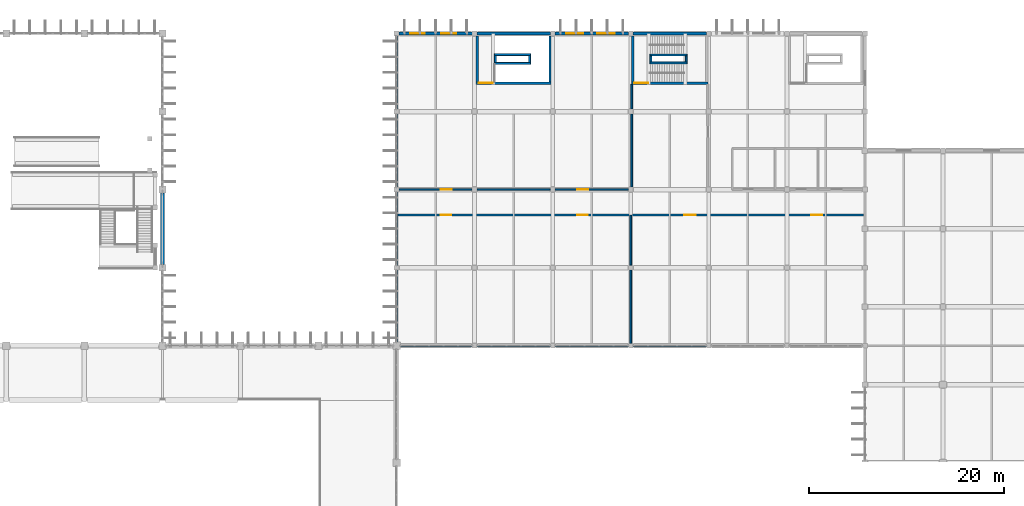
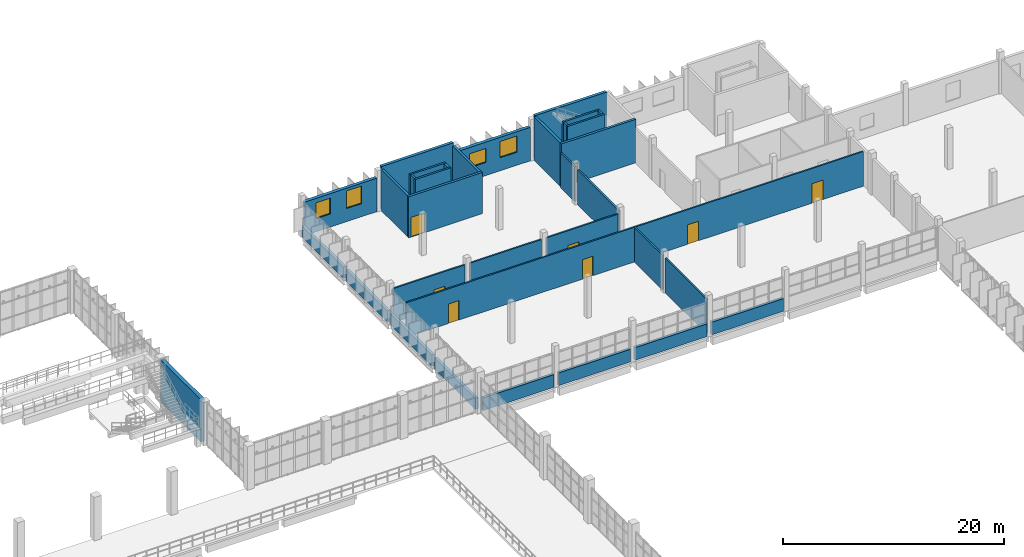
# One storey, part 72 of 93: 34 walls, 8 doors, 4 windows, 12 openings.
"""IFC4 building model written with IfcOpenShell, lengths in metres."""

from ifc_helpers import new_model, si_unit, direction, frame, frame_2d, origin, place, context, subcontext, project, spatial, rectangle, extrude, material, layer, layer_set, type_object, element, fill, save


model = new_model("IFC4")

# Units and contexts
model_context = context("Model", 3, precision=1e-05, world=origin(), true_north=direction((0.0, 1.0)))
body_context = subcontext(model_context, "Body", "Model", "MODEL_VIEW")
ifc_project = project(units=[si_unit("LENGTHUNIT", "METRE"), si_unit("AREAUNIT", "SQUARE_METRE"), si_unit("VOLUMEUNIT", "CUBIC_METRE"), si_unit("PLANEANGLEUNIT", "RADIAN"), si_unit("MASSUNIT", "GRAM", prefix="KILO")], contexts=[model_context])

# Site, building, storey
site_placement = place(None, origin())
site = spatial("IfcSite", under=ifc_project, at=site_placement, CompositionType="ELEMENT")
building_placement = place(site_placement, origin())
building = spatial("IfcBuilding", under=site, at=building_placement, Name="Drelvana Railside Aquatics Centre", CompositionType="ELEMENT")
storey_placement = place(building_placement, frame((0.0, 0.0, 5.39990234375)))
storey = spatial("IfcBuildingStorey", under=building, at=storey_placement, Name="L01", CompositionType="ELEMENT", Elevation=5.39990234375)

# Walls
ifc_material_1 = material(Name="Concrete blockwork compartment wall", Category="masonry")
ifc_layer_1 = layer(ifc_material_1, 0.18505859375, Name="Concrete blockwork compartment wall")
ifc_layer_set_1 = layer_set([ifc_layer_1], Name="Concrete blockwork compartment wall")
wall_type_1 = type_object("IfcWallType", Name="WL-COMP-185", PredefinedType="STANDARD", material=ifc_layer_set_1)
wall_1_placement = place(storey_placement, frame((120.10009765625, 100.251953125, 0.0), z_axis=(0.0, 0.0, 1.0), x_axis=(0.0, 1.0, 0.0)))
element("IfcWall", 1, at=wall_1_placement, inside=storey, type_object=wall_type_1, Name="L01 Stair passage west wall", PredefinedType="STANDARD", context=body_context, shape_type="SweptSolid", body=[
    extrude(rectangle(XDim=7.49609375, YDim=0.18505859375, at=frame_2d((3.748046875, 0.0))), origin(), (0.0, 0.0, 1.0), 3.830078125),
])
wall_2_placement = place(storey_placement, frame((120.10009765625, 108.251953125, 0.0), z_axis=(0.0, 0.0, 1.0), x_axis=(0.0, 1.0, 0.0)))
element("IfcWall", 2, at=wall_2_placement, inside=storey, type_object=wall_type_1, Name="L01 Stair passage west wall", PredefinedType="STANDARD", context=body_context, shape_type="SweptSolid", body=[
    extrude(rectangle(XDim=2.546142578125, YDim=0.18505859375, at=frame_2d((1.27294921875, 0.0))), origin(), (0.0, 0.0, 1.0), 3.830078125),
])

# Wall, opening, door
ifc_material_2 = material(Name="Concrete C40/50", Category="concrete")
ifc_layer_2 = layer(ifc_material_2, 0.25, Name="Concrete C40/50")
ifc_layer_set_2 = layer_set([ifc_layer_2], Name="Concrete C40/50")
wall_type_2 = type_object("IfcWallType", Name="WL-CORE-250", PredefinedType="SHEAR", material=ifc_layer_set_2)
wall_3_placement = place(storey_placement, frame((120.10009765625, 110.925048828125, 0.0), z_axis=(0.0, 0.0, 1.0), x_axis=(1.0, 0.0, 0.0)))
wall_3 = element("IfcWall", 3, at=wall_3_placement, inside=storey, type_object=wall_type_2, Name="Core 5 Changing Pavilion North S core wall (L01)", PredefinedType="SHEAR", context=body_context, shape_type="SweptSolid", body=[
    extrude(rectangle(XDim=7.7998046875, YDim=0.25, at=frame_2d((3.89990234375, 0.0))), origin(), (0.0, 0.0, 1.0), 4.800048828125),
])
opening_1_placement = place(wall_3_placement, frame((0.25, 0.0, 0.0)))
opening_1 = element("IfcOpeningElement", 4, at=opening_1_placement, cuts=wall_3, Name="Opening D-01-033", PredefinedType="OPENING", context=body_context, shape_type="SweptSolid", body=[
    extrude(rectangle(XDim=1.449951171875, YDim=2.199951171875, at=frame_2d((0.72509765625, 1.10009765625))), frame((0.0, 0.135009765625, 0.0), z_axis=(0.0, -1.0, 0.0), x_axis=(1.0, 0.0, 0.0)), (0.0, 0.0, 1.0), 0.27001953125),
])
ifc_material_3 = material(Name="Fire-rated steel and vision-panel door", Category="steel")
door_type_1 = type_object("IfcDoorType", Name="DR-INT-STAIR-1450x2200", OperationType="DOUBLE_DOOR_SINGLE_SWING", PredefinedType="DOOR", material=ifc_material_3)
door_1_placement = place(opening_1_placement, origin())
door_1 = element("IfcDoor", 5, at=door_1_placement, inside=storey, type_object=door_type_1, Name="Stair ST-05 lobby door D-01-033", OperationType="DOUBLE_DOOR_SINGLE_SWING", OverallHeight=2.199951171875, OverallWidth=1.449951171875, PredefinedType="DOOR", context=body_context, shape_type="SweptSolid", body=[
    extrude(rectangle(XDim=1.449951171875, YDim=2.199951171875, at=frame_2d((0.72509765625, 1.10009765625))), frame((0.0, 0.02490234375, 0.0), z_axis=(0.0, -1.0, 0.0), x_axis=(1.0, 0.0, 0.0)), (0.0, 0.0, 1.0), 0.050048828125),
])
fill(opening_1, door_1)

# Wall
wall_4_placement = place(storey_placement, frame((120.22509765625, 111.050048828125, 0.0), z_axis=(0.0, 0.0, 1.0), x_axis=(0.0, 1.0, 0.0)))
element("IfcWall", 6, at=wall_4_placement, inside=storey, type_object=wall_type_2, Name="Core 5 Changing Pavilion North W core wall (L01)", PredefinedType="SHEAR", context=body_context, shape_type="SweptSolid", body=[
    extrude(rectangle(XDim=4.699951171875, YDim=0.25, at=frame_2d((2.35009765625, 0.0))), origin(), (0.0, 0.0, 1.0), 4.800048828125),
])

# Wall, opening, door
wall_5_placement = place(storey_placement, frame((104.14990234375, 110.925048828125, 0.0), z_axis=(0.0, 0.0, 1.0), x_axis=(1.0, 0.0, 0.0)))
wall_5 = element("IfcWall", 7, at=wall_5_placement, inside=storey, type_object=wall_type_2, Name="Core 11 Changing Pavilion North-West S core wall (L01)", PredefinedType="SHEAR", context=body_context, shape_type="SweptSolid", body=[
    extrude(rectangle(XDim=7.7001953125, YDim=0.25, at=frame_2d((3.85009765625, 0.0))), origin(), (0.0, 0.0, 1.0), 4.550048828125),
])
opening_2_placement = place(wall_5_placement, frame((0.25, 0.0, 0.0)))
opening_2 = element("IfcOpeningElement", 8, at=opening_2_placement, cuts=wall_5, Name="Opening D-01-092", PredefinedType="OPENING", context=body_context, shape_type="SweptSolid", body=[
    extrude(rectangle(XDim=1.449951171875, YDim=2.199951171875, at=frame_2d((0.72509765625, 1.10009765625))), frame((0.0, 0.135009765625, 0.0), z_axis=(0.0, -1.0, 0.0), x_axis=(1.0, 0.0, 0.0)), (0.0, 0.0, 1.0), 0.27001953125),
])
door_2_placement = place(opening_2_placement, origin())
door_2 = element("IfcDoor", 9, at=door_2_placement, inside=storey, type_object=door_type_1, Name="Stair ST-11 lobby door D-01-092", OperationType="DOUBLE_DOOR_SINGLE_SWING", OverallHeight=2.199951171875, OverallWidth=1.449951171875, PredefinedType="DOOR", context=body_context, shape_type="SweptSolid", body=[
    extrude(rectangle(XDim=1.449951171875, YDim=2.199951171875, at=frame_2d((0.72509765625, 1.10009765625))), frame((0.0, 0.02490234375, 0.0), z_axis=(0.0, -1.0, 0.0), x_axis=(1.0, 0.0, 0.0)), (0.0, 0.0, 1.0), 0.050048828125),
])
fill(opening_2, door_2)

# Walls
for number, where, z_axis, x_axis, name in (
    (10, (104.27490234375, 111.050048828125, 0.0), (0.0, 0.0, 1.0), (0.0, 1.0, 0.0), "Core 11 Changing Pavilion North-West W core wall (L01)"),
    (11, (111.72509765625, 111.050048828125, 0.0), (0.0, 0.0, 1.0), (0.0, 1.0, 0.0), "Core 11 Changing Pavilion North-West E core wall (L01)"),
):
    element("IfcWall", number, at=place(storey_placement, frame(where, z_axis=z_axis, x_axis=x_axis)), inside=storey, type_object=wall_type_2, Name=name, PredefinedType="SHEAR", context=body_context, shape_type="SweptSolid", body=[
        extrude(rectangle(XDim=4.699951171875, YDim=0.25, at=frame_2d((2.35009765625, 0.0))), origin(), (0.0, 0.0, 1.0), 4.550048828125),
    ])
ifc_layer_3 = layer(ifc_material_2, 0.300048828125, Name="Concrete C40/50")
ifc_layer_set_3 = layer_set([ifc_layer_3], Name="Concrete C40/50")
wall_type_3 = type_object("IfcWallType", Name="WL-CORE-300", PredefinedType="SHEAR", material=ifc_layer_set_3)
for number, where, z_axis, x_axis, name in (
    (12, (104.24609375, 116.0, 0.0), (0.0, 0.0, 1.0), (1.0, 0.0, 0.0), "Core 11 north L01 shear wall"),
    (13, (120.24609375, 116.0, 0.0), (0.0, 0.0, 1.0), (1.0, 0.0, 0.0), "Core 5 north L01 shear wall"),
):
    element("IfcWall", number, at=place(storey_placement, frame(where, z_axis=z_axis, x_axis=x_axis)), inside=storey, type_object=wall_type_3, Name=name, PredefinedType="SHEAR", context=body_context, shape_type="SweptSolid", body=[
        extrude(rectangle(XDim=7.5078125, YDim=0.300048828125, at=frame_2d((3.75390625, 0.0))), origin(), (0.0, 0.0, 1.0), 4.800048828125),
    ])
ifc_material_4 = material(Name="Glazed ceramic and masonry facade wall", Category="masonry")
ifc_layer_4 = layer(ifc_material_4, 0.2900390625, Name="Glazed ceramic and masonry facade wall")
ifc_layer_set_4 = layer_set([ifc_layer_4], Name="Glazed ceramic and masonry facade wall")
wall_type_4 = type_object("IfcWallType", Name="WL-EXT-290", PredefinedType="STANDARD", material=ifc_layer_set_4)
wall_6_placement = place(storey_placement, frame((96.37109375, 84.0, 0.0), z_axis=(0.0, 0.0, 1.0), x_axis=(1.0, 0.0, 0.0)))
element("IfcWall", 14, at=wall_6_placement, inside=storey, type_object=wall_type_4, Name="Upper changing sill wall", PredefinedType="STANDARD", context=body_context, shape_type="SweptSolid", body=[
    extrude(rectangle(XDim=7.3828125, YDim=0.2900390625, at=frame_2d((3.69140625, 0.0))), origin(), (0.0, 0.0, 1.0), 1.400146484375),
])
for number, where, z_axis, x_axis, name in (
    (15, (104.24609375, 84.0, 0.0), (0.0, 0.0, 1.0), (1.0, 0.0, 0.0), "Upper changing sill wall"),
    (16, (112.24609375, 84.0, 0.0), (0.0, 0.0, 1.0), (1.0, 0.0, 0.0), "Upper changing sill wall"),
    (17, (120.24609375, 84.0, 0.0), (0.0, 0.0, 1.0), (1.0, 0.0, 0.0), "Upper changing sill wall"),
):
    element("IfcWall", number, at=place(storey_placement, frame(where, z_axis=z_axis, x_axis=x_axis)), inside=storey, type_object=wall_type_4, Name=name, PredefinedType="STANDARD", context=body_context, shape_type="SweptSolid", body=[
        extrude(rectangle(XDim=7.5078125, YDim=0.2900390625, at=frame_2d((3.75390625, 0.0))), origin(), (0.0, 0.0, 1.0), 1.400146484375),
    ])
ifc_material_5 = material(Name="Terracotta rainscreen masonry wall", Category="masonry")
ifc_layer_5 = layer(ifc_material_5, 0.31005859375, Name="Terracotta rainscreen masonry wall")
ifc_layer_set_5 = layer_set([ifc_layer_5], Name="Terracotta rainscreen masonry wall")
wall_type_5 = type_object("IfcWallType", Name="WL-EXT-310", PredefinedType="STANDARD", material=ifc_layer_set_5)
wall_7_placement = place(storey_placement, frame((96.0, 84.37109375, 0.0), z_axis=(0.0, 0.0, 1.0), x_axis=(0.0, 1.0, 0.0)))
element("IfcWall", 18, at=wall_7_placement, inside=storey, type_object=wall_type_5, Name="Changing pavilion L01 west sill wall 84", PredefinedType="STANDARD", context=body_context, shape_type="SweptSolid", body=[
    extrude(rectangle(XDim=7.3828125, YDim=0.31005859375, at=frame_2d((3.69140625, 0.0))), origin(), (0.0, 0.0, 1.0), 1.25),
])
for number, where, z_axis, x_axis, name in (
    (19, (96.0, 92.24609375, 0.0), (0.0, 0.0, 1.0), (0.0, 1.0, 0.0), "Changing pavilion L01 west sill wall 92"),
    (20, (96.0, 100.24609375, 0.0), (0.0, 0.0, 1.0), (0.0, 1.0, 0.0), "Changing pavilion L01 west sill wall 100"),
    (21, (96.0, 108.24609375, 0.0), (0.0, 0.0, 1.0), (0.0, 1.0, 0.0), "Changing pavilion L01 west sill wall 108"),
):
    element("IfcWall", number, at=place(storey_placement, frame(where, z_axis=z_axis, x_axis=x_axis)), inside=storey, type_object=wall_type_5, Name=name, PredefinedType="STANDARD", context=body_context, shape_type="SweptSolid", body=[
        extrude(rectangle(XDim=7.5078125, YDim=0.31005859375, at=frame_2d((3.75390625, 0.0))), origin(), (0.0, 0.0, 1.0), 1.25),
    ])

# Wall, openings, windows
ifc_material_6 = material(Name="Abuja granite ashlar cavity wall", Category="masonry")
ifc_layer_6 = layer(ifc_material_6, 0.330078125, Name="Abuja granite ashlar cavity wall")
ifc_layer_set_6 = layer_set([ifc_layer_6], Name="Abuja granite ashlar cavity wall")
wall_type_6 = type_object("IfcWallType", Name="WL-EXT-330", PredefinedType="STANDARD", material=ifc_layer_set_6)
wall_8_placement = place(storey_placement, frame((96.24609375, 116.0, 0.0), z_axis=(0.0, 0.0, 1.0), x_axis=(1.0, 0.0, 0.0)))
wall_8 = element("IfcWall", 22, at=wall_8_placement, inside=storey, type_object=wall_type_6, Name="Changing L01 north wall 96", PredefinedType="STANDARD", context=body_context, shape_type="SweptSolid", body=[
    extrude(rectangle(XDim=7.5078125, YDim=0.330078125, at=frame_2d((3.75390625, 0.0))), origin(), (0.0, 0.0, 1.0), 3.7001953125),
])
opening_3_placement = place(wall_8_placement, frame((1.134033203125, 0.0, 1.449951171875)))
opening_3 = element("IfcOpeningElement", 23, at=opening_3_placement, cuts=wall_8, Name="Opening W-17", PredefinedType="OPENING", context=body_context, shape_type="SweptSolid", body=[
    extrude(rectangle(XDim=1.5, YDim=1.75, at=frame_2d((0.75, 0.875))), frame((0.0, 0.175048828125, 0.0), z_axis=(0.0, -1.0, 0.0), x_axis=(1.0, 0.0, 0.0)), (0.0, 0.0, 1.0), 0.35009765625),
])
opening_4_placement = place(wall_8_placement, frame((4.333984375, 0.0, 1.449951171875)))
opening_4 = element("IfcOpeningElement", 24, at=opening_4_placement, cuts=wall_8, Name="Opening W-18", PredefinedType="OPENING", context=body_context, shape_type="SweptSolid", body=[
    extrude(rectangle(XDim=1.550048828125, YDim=1.949951171875, at=frame_2d((0.77490234375, 0.97509765625))), frame((0.0, 0.175048828125, 0.0), z_axis=(0.0, -1.0, 0.0), x_axis=(1.0, 0.0, 0.0)), (0.0, 0.0, 1.0), 0.35009765625),
])
ifc_material_7 = material(Name="Double-glazed solar-control aluminium window", Category="aluminium")
window_type_1 = type_object("IfcWindowType", Name="WIN-17", PartitioningType="SINGLE_PANEL", PredefinedType="WINDOW", material=ifc_material_7)
window_1_placement = place(opening_3_placement, origin())
window_1 = element("IfcWindow", 25, at=window_1_placement, inside=storey, type_object=window_type_1, Name="Changing high-level window WIN-17", OverallHeight=1.75, OverallWidth=1.5, PartitioningType="SINGLE_PANEL", PredefinedType="WINDOW", context=body_context, shape_type="SweptSolid", body=[
    extrude(rectangle(XDim=1.5, YDim=1.75, at=frame_2d((0.75, 0.875))), frame((0.0, 0.030029296875, 0.0), z_axis=(0.0, -1.0, 0.0), x_axis=(1.0, 0.0, 0.0)), (0.0, 0.0, 1.0), 0.06005859375),
])
fill(opening_3, window_1)
window_type_2 = type_object("IfcWindowType", Name="WIN-18", PartitioningType="SINGLE_PANEL", PredefinedType="WINDOW", material=ifc_material_7)
window_2_placement = place(opening_4_placement, origin())
window_2 = element("IfcWindow", 26, at=window_2_placement, inside=storey, type_object=window_type_2, Name="Changing high-level window WIN-18", OverallHeight=1.949951171875, OverallWidth=1.550048828125, PartitioningType="SINGLE_PANEL", PredefinedType="WINDOW", context=body_context, shape_type="SweptSolid", body=[
    extrude(rectangle(XDim=1.550048828125, YDim=1.949951171875, at=frame_2d((0.77490234375, 0.97509765625))), frame((0.0, 0.030029296875, 0.0), z_axis=(0.0, -1.0, 0.0), x_axis=(1.0, 0.0, 0.0)), (0.0, 0.0, 1.0), 0.06005859375),
])
fill(opening_4, window_2)

wall_9_placement = place(storey_placement, frame((112.24609375, 116.0, 0.0), z_axis=(0.0, 0.0, 1.0), x_axis=(1.0, 0.0, 0.0)))
wall_9 = element("IfcWall", 27, at=wall_9_placement, inside=storey, type_object=wall_type_6, Name="Changing L01 north wall 112", PredefinedType="STANDARD", context=body_context, shape_type="SweptSolid", body=[
    extrude(rectangle(XDim=7.5078125, YDim=0.330078125, at=frame_2d((3.75390625, 0.0))), origin(), (0.0, 0.0, 1.0), 3.7001953125),
])
opening_5_placement = place(wall_9_placement, frame((1.134033203125, 0.0, 1.449951171875)))
opening_5 = element("IfcOpeningElement", 28, at=opening_5_placement, cuts=wall_9, Name="Opening W-21", PredefinedType="OPENING", context=body_context, shape_type="SweptSolid", body=[
    extrude(rectangle(XDim=1.75, YDim=1.550048828125, at=frame_2d((0.875, 0.77490234375))), frame((0.0, 0.175048828125, 0.0), z_axis=(0.0, -1.0, 0.0), x_axis=(1.0, 0.0, 0.0)), (0.0, 0.0, 1.0), 0.35009765625),
])
opening_6_placement = place(wall_9_placement, frame((4.333984375, 0.0, 1.449951171875)))
opening_6 = element("IfcOpeningElement", 29, at=opening_6_placement, cuts=wall_9, Name="Opening W-22", PredefinedType="OPENING", context=body_context, shape_type="SweptSolid", body=[
    extrude(rectangle(XDim=1.800048828125, YDim=1.800048828125, at=frame_2d((0.89990234375, 0.89990234375))), frame((0.0, 0.175048828125, 0.0), z_axis=(0.0, -1.0, 0.0), x_axis=(1.0, 0.0, 0.0)), (0.0, 0.0, 1.0), 0.35009765625),
])
window_type_3 = type_object("IfcWindowType", Name="WIN-21", PartitioningType="SINGLE_PANEL", PredefinedType="WINDOW", material=ifc_material_7)
window_3_placement = place(opening_5_placement, origin())
window_3 = element("IfcWindow", 30, at=window_3_placement, inside=storey, type_object=window_type_3, Name="Changing high-level window WIN-21", OverallHeight=1.550048828125, OverallWidth=1.75, PartitioningType="SINGLE_PANEL", PredefinedType="WINDOW", context=body_context, shape_type="SweptSolid", body=[
    extrude(rectangle(XDim=1.75, YDim=1.550048828125, at=frame_2d((0.875, 0.77490234375))), frame((0.0, 0.030029296875, 0.0), z_axis=(0.0, -1.0, 0.0), x_axis=(1.0, 0.0, 0.0)), (0.0, 0.0, 1.0), 0.06005859375),
])
fill(opening_5, window_3)
window_type_4 = type_object("IfcWindowType", Name="WIN-22", PartitioningType="SINGLE_PANEL", PredefinedType="WINDOW", material=ifc_material_7)
window_4_placement = place(opening_6_placement, origin())
window_4 = element("IfcWindow", 31, at=window_4_placement, inside=storey, type_object=window_type_4, Name="Changing high-level window WIN-22", OverallHeight=1.800048828125, OverallWidth=1.800048828125, PartitioningType="SINGLE_PANEL", PredefinedType="WINDOW", context=body_context, shape_type="SweptSolid", body=[
    extrude(rectangle(XDim=1.800048828125, YDim=1.800048828125, at=frame_2d((0.89990234375, 0.89990234375))), frame((0.0, 0.030029296875, 0.0), z_axis=(0.0, -1.0, 0.0), x_axis=(1.0, 0.0, 0.0)), (0.0, 0.0, 1.0), 0.06005859375),
])
fill(opening_6, window_4)

# Walls
ifc_material_8 = material(Name="Heavy thermal-mass stone facade wall", Category="masonry")
ifc_layer_7 = layer(ifc_material_8, 0.389892578125, Name="Heavy thermal-mass stone facade wall")
ifc_layer_set_7 = layer_set([ifc_layer_7], Name="Heavy thermal-mass stone facade wall")
wall_type_7 = type_object("IfcWallType", Name="WL-EXT-390", PredefinedType="STANDARD", material=ifc_layer_set_7)
wall_10_placement = place(storey_placement, frame((72.0, 92.345947265625, 0.0), z_axis=(0.0, 0.0, 1.0), x_axis=(0.0, 1.0, 0.0)))
element("IfcWall", 32, at=wall_10_placement, inside=storey, type_object=wall_type_7, Name="Diving Hall East braced bay wall", PredefinedType="STANDARD", context=body_context, shape_type="SweptSolid", body=[
    extrude(rectangle(XDim=7.30810546875, YDim=0.389892578125, at=frame_2d((3.654052734375, 0.0))), origin(), (0.0, 0.0, 1.0), 4.650146484375),
])
ifc_layer_8 = layer(ifc_material_2, 0.199951171875, Name="Concrete C40/50")
ifc_layer_set_8 = layer_set([ifc_layer_8], Name="Concrete C40/50")
wall_type_8 = type_object("IfcWallType", Name="WL-SHFT-200", PredefinedType="SHEAR", material=ifc_layer_set_8)
for number, where, z_axis, x_axis, name in (
    (33, (121.969970703125, 113.0, 0.0), (0.0, 0.0, 1.0), (1.0, 0.0, 0.0), "Stair ST-05 central spine wall A (L01)"),
    (34, (121.969970703125, 113.800048828125, 0.0), (0.0, 0.0, 1.0), (1.0, 0.0, 0.0), "Stair ST-05 central spine wall B (L01)"),
):
    element("IfcWall", number, at=place(storey_placement, frame(where, z_axis=z_axis, x_axis=x_axis)), inside=storey, type_object=wall_type_8, Name=name, PredefinedType="SHEAR", context=body_context, shape_type="SweptSolid", body=[
        extrude(rectangle(XDim=3.820068359375, YDim=0.199951171875, at=frame_2d((1.91015625, 0.0))), origin(), (0.0, 0.0, 1.0), 4.800048828125),
    ])
for number, where, z_axis, x_axis, name in (
    (35, (122.070068359375, 113.10009765625, 0.0), (0.0, 0.0, 1.0), (0.0, 1.0, 0.0), "Stair ST-05 central spine wall W (L01)"),
    (36, (125.68994140625, 113.10009765625, 0.0), (0.0, 0.0, 1.0), (0.0, 1.0, 0.0), "Stair ST-05 central spine wall E (L01)"),
):
    element("IfcWall", number, at=place(storey_placement, frame(where, z_axis=z_axis, x_axis=x_axis)), inside=storey, type_object=wall_type_8, Name=name, PredefinedType="SHEAR", context=body_context, shape_type="SweptSolid", body=[
        extrude(rectangle(XDim=0.599853515625, YDim=0.199951171875, at=frame_2d((0.2998046875, 0.0))), origin(), (0.0, 0.0, 1.0), 4.800048828125),
    ])
for number, where, z_axis, x_axis, name in (
    (37, (106.02001953125, 112.949951171875, 0.0), (0.0, 0.0, 1.0), (1.0, 0.0, 0.0), "Stair ST-11 central spine wall A (L01)"),
    (38, (106.02001953125, 113.85009765625, 0.0), (0.0, 0.0, 1.0), (1.0, 0.0, 0.0), "Stair ST-11 central spine wall B (L01)"),
):
    element("IfcWall", number, at=place(storey_placement, frame(where, z_axis=z_axis, x_axis=x_axis)), inside=storey, type_object=wall_type_8, Name=name, PredefinedType="SHEAR", context=body_context, shape_type="SweptSolid", body=[
        extrude(rectangle(XDim=3.719970703125, YDim=0.199951171875, at=frame_2d((1.85986328125, 0.0))), origin(), (0.0, 0.0, 1.0), 4.550048828125),
    ])
for number, where, z_axis, x_axis, name in (
    (39, (106.1201171875, 113.050048828125, 0.0), (0.0, 0.0, 1.0), (0.0, 1.0, 0.0), "Stair ST-11 central spine wall W (L01)"),
    (40, (109.639892578125, 113.050048828125, 0.0), (0.0, 0.0, 1.0), (0.0, 1.0, 0.0), "Stair ST-11 central spine wall E (L01)"),
):
    element("IfcWall", number, at=place(storey_placement, frame(where, z_axis=z_axis, x_axis=x_axis)), inside=storey, type_object=wall_type_8, Name=name, PredefinedType="SHEAR", context=body_context, shape_type="SweptSolid", body=[
        extrude(rectangle(XDim=0.699951171875, YDim=0.199951171875, at=frame_2d((0.35009765625, 0.0))), origin(), (0.0, 0.0, 1.0), 4.550048828125),
    ])

# Wall, openings, doors
ifc_material_9 = material(Name="Water-resistant ceramic-tiled block partition", Category="masonry")
ifc_layer_9 = layer(ifc_material_9, 0.159912109375, Name="Water-resistant ceramic-tiled block partition")
ifc_layer_set_9 = layer_set([ifc_layer_9], Name="Water-resistant ceramic-tiled block partition")
wall_type_9 = type_object("IfcWallType", Name="WL-WET-160", PredefinedType="PARTITIONING", material=ifc_layer_set_9)
wall_11_placement = place(storey_placement, frame((96.14990234375, 97.39990234375, 0.0), z_axis=(0.0, 0.0, 1.0), x_axis=(1.0, 0.0, 0.0)))
wall_11 = element("IfcWall", 41, at=wall_11_placement, inside=storey, type_object=wall_type_9, Name="L01 Changing south corridor wall", PredefinedType="PARTITIONING", context=body_context, shape_type="SweptSolid", body=[
    extrude(rectangle(XDim=47.7001953125, YDim=0.159912109375, at=frame_2d((23.85009765625, 0.0))), origin(), (0.0, 0.0, 1.0), 3.830078125),
])
opening_7_placement = place(wall_11_placement, frame((4.35009765625, 0.0, 0.0)))
opening_7 = element("IfcOpeningElement", 42, at=opening_7_placement, cuts=wall_11, Name="Opening D-08-170", PredefinedType="OPENING", context=body_context, shape_type="SweptSolid", body=[
    extrude(rectangle(XDim=1.10009765625, YDim=2.14990234375, at=frame_2d((0.550048828125, 1.074951171875))), frame((0.0, 0.08984375, 0.0), z_axis=(0.0, -1.0, 0.0), x_axis=(1.0, 0.0, 0.0)), (0.0, 0.0, 1.0), 0.179931640625),
])
opening_8_placement = place(wall_11_placement, frame((18.35009765625, 0.0, 0.0)))
opening_8 = element("IfcOpeningElement", 43, at=opening_8_placement, cuts=wall_11, Name="Opening D-08-171", PredefinedType="OPENING", context=body_context, shape_type="SweptSolid", body=[
    extrude(rectangle(XDim=1.10009765625, YDim=2.14990234375, at=frame_2d((0.550048828125, 1.074951171875))), frame((0.0, 0.08984375, 0.0), z_axis=(0.0, -1.0, 0.0), x_axis=(1.0, 0.0, 0.0)), (0.0, 0.0, 1.0), 0.179931640625),
])
opening_9_placement = place(wall_11_placement, frame((29.35009765625, 0.0, 0.0)))
opening_9 = element("IfcOpeningElement", 44, at=opening_9_placement, cuts=wall_11, Name="Opening D-17-172", PredefinedType="OPENING", context=body_context, shape_type="SweptSolid", body=[
    extrude(rectangle(XDim=1.14990234375, YDim=2.14990234375, at=frame_2d((0.574951171875, 1.074951171875))), frame((0.0, 0.08984375, 0.0), z_axis=(0.0, -1.0, 0.0), x_axis=(1.0, 0.0, 0.0)), (0.0, 0.0, 1.0), 0.179931640625),
])
opening_10_placement = place(wall_11_placement, frame((42.35009765625, 0.0, 0.0)))
opening_10 = element("IfcOpeningElement", 45, at=opening_10_placement, cuts=wall_11, Name="Opening D-17-173", PredefinedType="OPENING", context=body_context, shape_type="SweptSolid", body=[
    extrude(rectangle(XDim=1.14990234375, YDim=2.14990234375, at=frame_2d((0.574951171875, 1.074951171875))), frame((0.0, 0.08984375, 0.0), z_axis=(0.0, -1.0, 0.0), x_axis=(1.0, 0.0, 0.0)), (0.0, 0.0, 1.0), 0.179931640625),
])
ifc_material_10 = material(Name="Moisture-resistant phenolic changing door", Category="wood")
door_type_2 = type_object("IfcDoorType", Name="DR-INT-CHG-1100x2150", OperationType="NOTDEFINED", PredefinedType="DOOR", material=ifc_material_10)
door_3_placement = place(opening_7_placement, origin())
door_3 = element("IfcDoor", 46, at=door_3_placement, inside=storey, type_object=door_type_2, Name="L01 Public changing west door D-08-170", OperationType="SINGLE_SWING_LEFT", OverallHeight=2.14990234375, OverallWidth=1.10009765625, PredefinedType="DOOR", context=body_context, shape_type="SweptSolid", body=[
    extrude(rectangle(XDim=1.10009765625, YDim=2.14990234375, at=frame_2d((0.550048828125, 1.074951171875))), frame((0.0, 0.02490234375, 0.0), z_axis=(0.0, -1.0, 0.0), x_axis=(1.0, 0.0, 0.0)), (0.0, 0.0, 1.0), 0.050048828125),
])
fill(opening_7, door_3)
door_4_placement = place(opening_8_placement, origin())
door_4 = element("IfcDoor", 47, at=door_4_placement, inside=storey, type_object=door_type_2, Name="L01 Public changing east door D-08-171", OperationType="SINGLE_SWING_RIGHT", OverallHeight=2.14990234375, OverallWidth=1.10009765625, PredefinedType="DOOR", context=body_context, shape_type="SweptSolid", body=[
    extrude(rectangle(XDim=1.10009765625, YDim=2.14990234375, at=frame_2d((0.550048828125, 1.074951171875))), frame((0.0, 0.02490234375, 0.0), z_axis=(0.0, -1.0, 0.0), x_axis=(1.0, 0.0, 0.0)), (0.0, 0.0, 1.0), 0.050048828125),
])
fill(opening_8, door_4)
ifc_material_11 = material(Name="Team changing wide leaf door", Category="wood")
door_type_3 = type_object("IfcDoorType", Name="DR-INT-CHG-1150x2150", OperationType="NOTDEFINED", PredefinedType="DOOR", material=ifc_material_11)
door_5_placement = place(opening_9_placement, origin())
door_5 = element("IfcDoor", 48, at=door_5_placement, inside=storey, type_object=door_type_3, Name="L01 Team changing west door D-17-172", OperationType="SINGLE_SWING_LEFT", OverallHeight=2.14990234375, OverallWidth=1.14990234375, PredefinedType="DOOR", context=body_context, shape_type="SweptSolid", body=[
    extrude(rectangle(XDim=1.14990234375, YDim=2.14990234375, at=frame_2d((0.574951171875, 1.074951171875))), frame((0.0, 0.02490234375, 0.0), z_axis=(0.0, -1.0, 0.0), x_axis=(1.0, 0.0, 0.0)), (0.0, 0.0, 1.0), 0.050048828125),
])
fill(opening_9, door_5)
door_6_placement = place(opening_10_placement, origin())
door_6 = element("IfcDoor", 49, at=door_6_placement, inside=storey, type_object=door_type_3, Name="L01 Team changing east door D-17-173", OperationType="SINGLE_SWING_RIGHT", OverallHeight=2.14990234375, OverallWidth=1.14990234375, PredefinedType="DOOR", context=body_context, shape_type="SweptSolid", body=[
    extrude(rectangle(XDim=1.14990234375, YDim=2.14990234375, at=frame_2d((0.574951171875, 1.074951171875))), frame((0.0, 0.02490234375, 0.0), z_axis=(0.0, -1.0, 0.0), x_axis=(1.0, 0.0, 0.0)), (0.0, 0.0, 1.0), 0.050048828125),
])
fill(opening_10, door_6)

# Walls
wall_12_placement = place(storey_placement, frame((120.0, 84.251953125, 0.0), z_axis=(0.0, 0.0, 1.0), x_axis=(0.0, 1.0, 0.0)))
element("IfcWall", 50, at=wall_12_placement, inside=storey, type_object=wall_type_9, Name="L01 Team-Public changing divider", PredefinedType="PARTITIONING", context=body_context, shape_type="SweptSolid", body=[
    extrude(rectangle(XDim=7.49609375, YDim=0.159912109375, at=frame_2d((3.748046875, 0.0))), origin(), (0.0, 0.0, 1.0), 3.830078125),
])
wall_13_placement = place(storey_placement, frame((120.0, 92.251953125, 0.0), z_axis=(0.0, 0.0, 1.0), x_axis=(0.0, 1.0, 0.0)))
element("IfcWall", 51, at=wall_13_placement, inside=storey, type_object=wall_type_9, Name="L01 Team-Public changing divider", PredefinedType="PARTITIONING", context=body_context, shape_type="SweptSolid", body=[
    extrude(rectangle(XDim=5.14794921875, YDim=0.159912109375, at=frame_2d((2.573974609375, 0.0))), origin(), (0.0, 0.0, 1.0), 3.830078125),
])

# Wall, opening, door
wall_14_placement = place(storey_placement, frame((96.251953125, 100.0, 0.0), z_axis=(0.0, 0.0, 1.0), x_axis=(1.0, 0.0, 0.0)))
wall_14 = element("IfcWall", 52, at=wall_14_placement, inside=storey, type_object=wall_type_9, Name="L01 Changing north-west corridor wall", PredefinedType="PARTITIONING", context=body_context, shape_type="SweptSolid", body=[
    extrude(rectangle(XDim=7.49609375, YDim=0.159912109375, at=frame_2d((3.748046875, 0.0))), origin(), (0.0, 0.0, 1.0), 3.780029296875),
])
opening_11_placement = place(wall_14_placement, frame((4.248046875, 0.0, 0.0)))
opening_11 = element("IfcOpeningElement", 53, at=opening_11_placement, cuts=wall_14, Name="Opening D-17-174", PredefinedType="OPENING", context=body_context, shape_type="SweptSolid", body=[
    extrude(rectangle(XDim=1.14990234375, YDim=2.14990234375, at=frame_2d((0.574951171875, 1.074951171875))), frame((0.0, 0.08984375, 0.0), z_axis=(0.0, -1.0, 0.0), x_axis=(1.0, 0.0, 0.0)), (0.0, 0.0, 1.0), 0.179931640625),
])
door_7_placement = place(opening_11_placement, origin())
door_7 = element("IfcDoor", 54, at=door_7_placement, inside=storey, type_object=door_type_3, Name="Officials changing west door D-17-174", OperationType="SINGLE_SWING_LEFT", OverallHeight=2.14990234375, OverallWidth=1.14990234375, PredefinedType="DOOR", context=body_context, shape_type="SweptSolid", body=[
    extrude(rectangle(XDim=1.14990234375, YDim=2.14990234375, at=frame_2d((0.574951171875, 1.074951171875))), frame((0.0, 0.02490234375, 0.0), z_axis=(0.0, -1.0, 0.0), x_axis=(1.0, 0.0, 0.0)), (0.0, 0.0, 1.0), 0.050048828125),
])
fill(opening_11, door_7)

# Wall
wall_15_placement = place(storey_placement, frame((104.251953125, 100.0, 0.0), z_axis=(0.0, 0.0, 1.0), x_axis=(1.0, 0.0, 0.0)))
element("IfcWall", 55, at=wall_15_placement, inside=storey, type_object=wall_type_9, Name="L01 Changing north-west corridor wall", PredefinedType="PARTITIONING", context=body_context, shape_type="SweptSolid", body=[
    extrude(rectangle(XDim=7.49609375, YDim=0.159912109375, at=frame_2d((3.748046875, 0.0))), origin(), (0.0, 0.0, 1.0), 3.780029296875),
])

# Wall, opening, door
wall_16_placement = place(storey_placement, frame((112.251953125, 100.0, 0.0), z_axis=(0.0, 0.0, 1.0), x_axis=(1.0, 0.0, 0.0)))
wall_16 = element("IfcWall", 56, at=wall_16_placement, inside=storey, type_object=wall_type_9, Name="L01 Changing north-west corridor wall", PredefinedType="PARTITIONING", context=body_context, shape_type="SweptSolid", body=[
    extrude(rectangle(XDim=7.49609375, YDim=0.159912109375, at=frame_2d((3.748046875, 0.0))), origin(), (0.0, 0.0, 1.0), 3.780029296875),
])
opening_12_placement = place(wall_16_placement, frame((2.248046875, 0.0, 0.0)))
opening_12 = element("IfcOpeningElement", 57, at=opening_12_placement, cuts=wall_16, Name="Opening D-17-175", PredefinedType="OPENING", context=body_context, shape_type="SweptSolid", body=[
    extrude(rectangle(XDim=1.14990234375, YDim=2.14990234375, at=frame_2d((0.574951171875, 1.074951171875))), frame((0.0, 0.08984375, 0.0), z_axis=(0.0, -1.0, 0.0), x_axis=(1.0, 0.0, 0.0)), (0.0, 0.0, 1.0), 0.179931640625),
])
door_8_placement = place(opening_12_placement, origin())
door_8 = element("IfcDoor", 58, at=door_8_placement, inside=storey, type_object=door_type_3, Name="Officials changing east door D-17-175", OperationType="SINGLE_SWING_RIGHT", OverallHeight=2.14990234375, OverallWidth=1.14990234375, PredefinedType="DOOR", context=body_context, shape_type="SweptSolid", body=[
    extrude(rectangle(XDim=1.14990234375, YDim=2.14990234375, at=frame_2d((0.574951171875, 1.074951171875))), frame((0.0, 0.02490234375, 0.0), z_axis=(0.0, -1.0, 0.0), x_axis=(1.0, 0.0, 0.0)), (0.0, 0.0, 1.0), 0.050048828125),
])
fill(opening_12, door_8)

save(model, "model.ifc")
